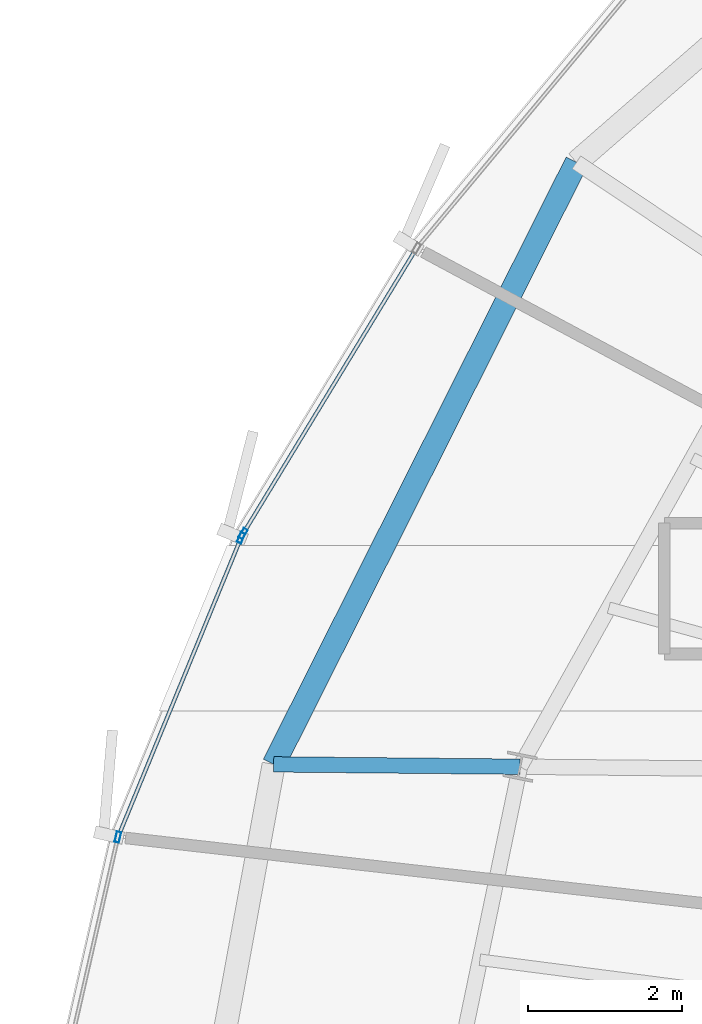
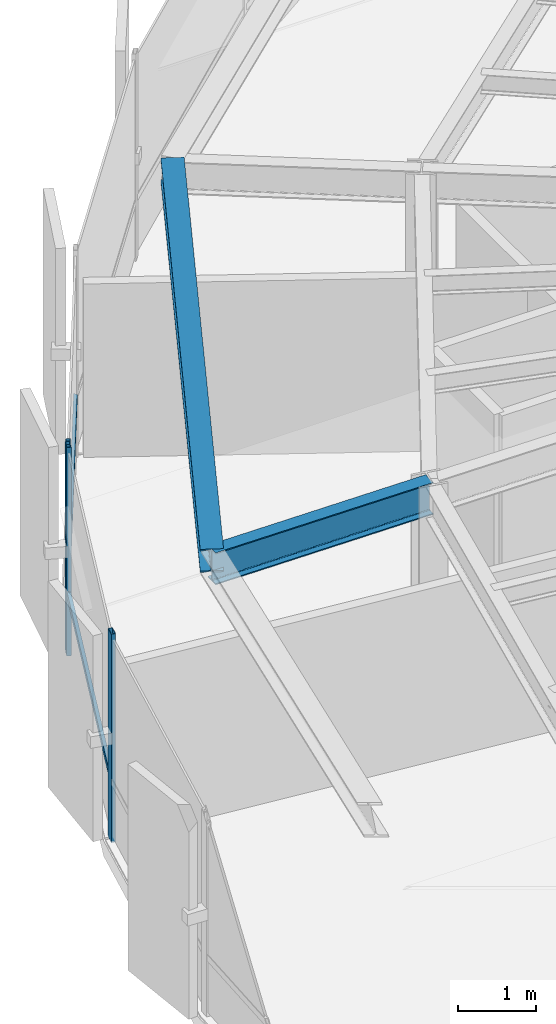
# One storey, part 11 of 34: 5 members, 2 beams, 2 elements without a shape of their own.
"""IFC4 building model written with IfcOpenShell, lengths in metres."""

from ifc_helpers import new_model, si_unit, direction, frame, origin, origin_2d, place, context, subcontext, project, spatial, hollow_rectangle, i_section, extrude, source, transform, mapped, material, layer, layer_set, material_profile, profile_set, type_object, element, aggregate, save


model = new_model("IFC4")

# Units and contexts
model_context = context("Model", 3, precision=1e-05, world=origin(), true_north=direction((0.0, 1.0)))
body_context = subcontext(model_context, "Body", "Model", "MODEL_VIEW")
ifc_project = project(units=[si_unit("LENGTHUNIT", "METRE"), si_unit("AREAUNIT", "SQUARE_METRE"), si_unit("VOLUMEUNIT", "CUBIC_METRE"), si_unit("PLANEANGLEUNIT", "RADIAN"), si_unit("MASSUNIT", "GRAM", prefix="KILO"), si_unit("THERMODYNAMICTEMPERATUREUNIT", "KELVIN")], contexts=[model_context])

# Site, building, storey
site_placement = place(None, origin())
site = spatial("IfcSite", under=ifc_project, at=site_placement, CompositionType="ELEMENT")
building_placement = place(site_placement, origin())
building = spatial("IfcBuilding", under=site, at=building_placement, Name="Kethvar Cultural Tower", CompositionType="ELEMENT")
storey_placement = place(building_placement, frame((0.0, 0.0, 186.89990234375)))
storey = spatial("IfcBuildingStorey", under=building, at=storey_placement, Name="L48", CompositionType="ELEMENT", Elevation=186.89990234375)

# Beams
ifc_material_1 = material(Name="Steel S355J2", Category="steel")
ifc_material_profile_1 = material_profile(ifc_material_1, i_section(OverallWidth=0.199951171875, OverallDepth=0.5, WebThickness=0.01025390625, FlangeThickness=0.01611328125, FilletRadius=0.02099609375, at=origin_2d()), Name="Steel S355J2 — IPE500")
ifc_profile_set_1 = profile_set([ifc_material_profile_1], Name="Steel S355J2 — IPE500")
beam_type_1 = type_object("IfcBeamType", Name="BM-IPE500", PredefinedType="BEAM", material=ifc_profile_set_1)
shared_shape_1 = source(origin(), body_context, "Body", "SweptSolid", [
    extrude(i_section(OverallWidth=0.199951171875, OverallDepth=0.5, WebThickness=0.01025390625, FlangeThickness=0.01611328125, FilletRadius=0.02099609375, at=origin_2d()), origin(), (0.0, 0.0, 1.0), 3.2001953125),
])
beam_1_placement = place(storey_placement, frame((29.02490234375, 31.335693359375, 3.008056640625), z_axis=(-0.999954526979, 0.009536455014, 0.0), x_axis=(-0.009536455014, -0.999954526979, 0.0)))
element("IfcBeam", 1, at=beam_1_placement, inside=storey, type_object=beam_type_1, Name="L48 Perimeter Cantilever Beam RC-08", PredefinedType="BEAM", context=body_context, shape_type="MappedRepresentation", body=[
    mapped(shared_shape_1, transform((0.0, 0.0, 0.0), scale=1.0)),
])
ifc_material_profile_2 = material_profile(ifc_material_1, i_section(OverallWidth=0.300048828125, OverallDepth=0.360107421875, WebThickness=0.012451171875, FlangeThickness=0.0224609375, FilletRadius=0.027099609375, at=origin_2d()), Name="Steel S355J2 — HEB360")
ifc_profile_set_2 = profile_set([ifc_material_profile_2], Name="Steel S355J2 — HEB360")
beam_type_2 = type_object("IfcBeamType", Name="BM-SP360", PredefinedType="SPANDREL", material=ifc_profile_set_2)
shared_shape_2 = source(origin(), body_context, "Body", "SweptSolid", [
    extrude(i_section(OverallWidth=0.300048828125, OverallDepth=0.360107421875, WebThickness=0.012451171875, FlangeThickness=0.0224609375, FilletRadius=0.027099609375, at=origin_2d()), origin(), (0.0, 0.0, 1.0), 8.754150390625),
])
beam_2_placement = place(storey_placement, frame((29.757568359375, 39.187255859375, 3.078125), z_axis=(-0.449231599727, -0.893415340033, 0.0), x_axis=(0.893415340033, -0.449231599727, 0.0)))
element("IfcBeam", 2, at=beam_2_placement, inside=storey, type_object=beam_type_2, Name="L48 Perimeter Spandrel Beam SP-07", PredefinedType="SPANDREL", context=body_context, shape_type="MappedRepresentation", body=[
    mapped(shared_shape_2, transform((0.0, 0.0, 0.0), scale=1.0)),
])

# Curtain wall, member
ifc_material_2 = material(Name="Aluminium 6063-T6", Category="aluminium")
ifc_layer = layer(ifc_material_2, 0.179931640625, Name="Aluminium 6063-T6", Category="aluminium")
ifc_layer_set = layer_set([ifc_layer], Name="Aluminium 6063-T6 (180 mm)")
curtain_wall_type = type_object("IfcCurtainWallType", Name="CW-SYS-04-Z34", PredefinedType="NOTDEFINED", material=ifc_layer_set)
curtain_wall_1_placement = place(storey_placement, origin())
curtain_wall_1 = element("IfcCurtainWall", 3, at=curtain_wall_1_placement, inside=storey, type_object=curtain_wall_type, Name="L48 Curtain Wall Run 02", PredefinedType="NOTDEFINED")
ifc_material_profile_3 = material_profile(ifc_material_2, hollow_rectangle(XDim=0.06005859375, YDim=0.139892578125, WallThickness=0.0048828125, at=origin_2d()), Name="Aluminium 6063-T6 — RHS140x60x5")
ifc_profile_set_3 = profile_set([ifc_material_profile_3], Name="Aluminium 6063-T6 — RHS140x60x5")
member_type_1 = type_object("IfcMemberType", Name="CW-SYS-04-Z34-MUL", PredefinedType="MULLION", material=ifc_profile_set_3)
shared_shape_3 = source(origin(), body_context, "Body", "SweptSolid", [
    extrude(hollow_rectangle(XDim=0.06005859375, YDim=0.139892578125, WallThickness=0.0048828125, at=origin_2d()), origin(), (0.0, 0.0, 1.0), 3.260009765625),
])
member_1_placement = place(storey_placement, frame((25.427978515625, 34.36328125, 0.0), z_axis=(0.0, 0.0, 1.0), x_axis=(0.854640124453, -0.519220817836, 0.0)))
member_1 = element("IfcMember", 4, at=member_1_placement, type_object=member_type_1, Name="CW-L48-R02 Mullion 7", PredefinedType="MULLION", context=body_context, shape_type="MappedRepresentation", body=[
    mapped(shared_shape_3, transform((0.0, 0.0, 0.0), scale=1.0)),
])

# Curtain wall, members
curtain_wall_2_placement = place(storey_placement, origin())
curtain_wall_2 = element("IfcCurtainWall", 5, at=curtain_wall_2_placement, inside=storey, type_object=curtain_wall_type, Name="L48 Curtain Wall Run 03", PredefinedType="NOTDEFINED")
member_2_placement = place(storey_placement, frame((25.400390625, 34.30908203125, 0.0), z_axis=(0.0, 0.0, 1.0), x_axis=(0.924924679204, -0.380150414704, 0.0)))
member_2 = element("IfcMember", 6, at=member_2_placement, type_object=member_type_1, Name="CW-L48-R03 Mullion 1", PredefinedType="MULLION", context=body_context, shape_type="MappedRepresentation", body=[
    mapped(shared_shape_3, transform((0.0, 0.0, 0.0), scale=1.0)),
])
member_3_placement = place(storey_placement, frame((23.801025390625, 30.42138671875, 0.0), z_axis=(0.0, 0.0, 1.0), x_axis=(0.974932350528, -0.222501487395, 0.0)))
member_3 = element("IfcMember", 7, at=member_3_placement, type_object=member_type_1, Name="CW-L48-R03 Mullion 2", PredefinedType="MULLION", context=body_context, shape_type="MappedRepresentation", body=[
    mapped(shared_shape_3, transform((0.0, 0.0, 0.0), scale=1.0)),
])

# Member
ifc_material_profile_4 = material_profile(ifc_material_2, hollow_rectangle(XDim=0.050048828125, YDim=0.10009765625, WallThickness=0.00390625, at=origin_2d()), Name="Aluminium 6063-T6 — RHS100x50x4")
ifc_profile_set_4 = profile_set([ifc_material_profile_4], Name="Aluminium 6063-T6 — RHS100x50x4")
member_type_2 = type_object("IfcMemberType", Name="CW-SYS-04-Z34-TRN", PredefinedType="USERDEFINED", material=ifc_profile_set_4)
shared_shape_4 = source(origin(), body_context, "Body", "SweptSolid", [
    extrude(hollow_rectangle(XDim=0.050048828125, YDim=0.10009765625, WallThickness=0.00390625, at=origin_2d()), origin(), (0.0, 0.0, 1.0), 4.291015625),
])
member_4_placement = place(storey_placement, frame((27.657958984375, 38.033935546875, 0.9501953125), z_axis=(-0.519231995391, -0.854633333636, 0.0), x_axis=(0.854633333636, -0.519231995391, 0.0)))
member_4 = element("IfcMember", 8, at=member_4_placement, type_object=member_type_2, Name="CW-L48-R02 Transom 6", ObjectType="TRANSOM", PredefinedType="USERDEFINED", context=body_context, shape_type="MappedRepresentation", body=[
    mapped(shared_shape_4, transform((0.0, 0.0, 0.0), scale=1.0)),
])

aggregate(curtain_wall_1, [member_1, member_4])

shared_shape_5 = source(origin(), body_context, "Body", "SweptSolid", [
    extrude(hollow_rectangle(XDim=0.050048828125, YDim=0.10009765625, WallThickness=0.00390625, at=origin_2d()), origin(), (0.0, 0.0, 1.0), 4.174560546875),
])
member_5_placement = place(storey_placement, frame((25.39892578125, 34.30517578125, 0.9501953125), z_axis=(-0.380146715052, -0.924926199778, 0.0), x_axis=(0.924926199778, -0.380146715052, 0.0)))
member_5 = element("IfcMember", 9, at=member_5_placement, type_object=member_type_2, Name="CW-L48-R03 Transom 1", ObjectType="TRANSOM", PredefinedType="USERDEFINED", context=body_context, shape_type="MappedRepresentation", body=[
    mapped(shared_shape_5, transform((0.0, 0.0, 0.0), scale=1.0)),
])

aggregate(curtain_wall_2, [member_2, member_3, member_5])

save(model, "model.ifc")
